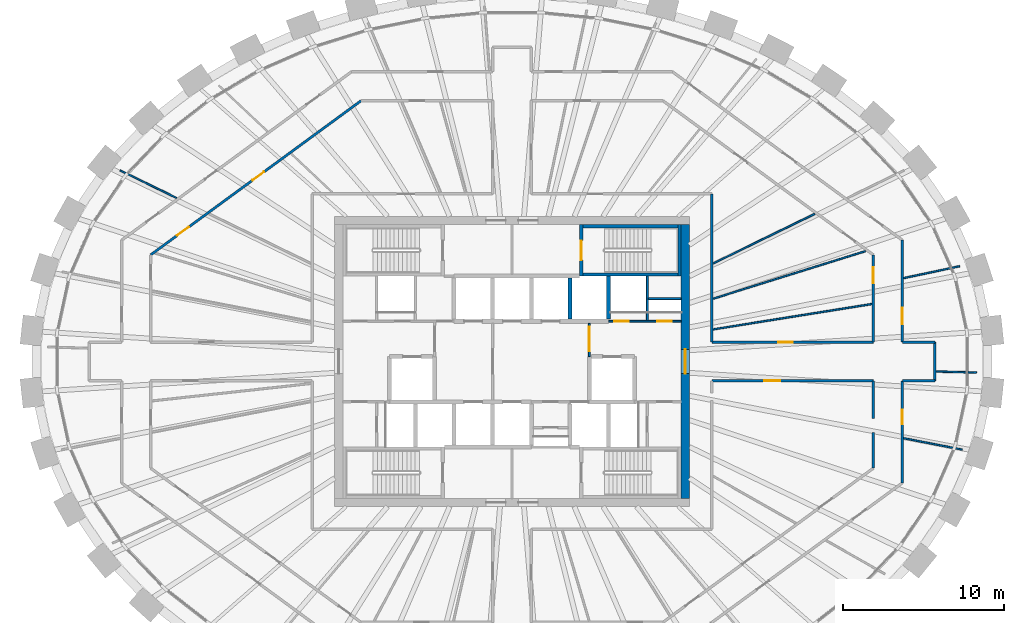
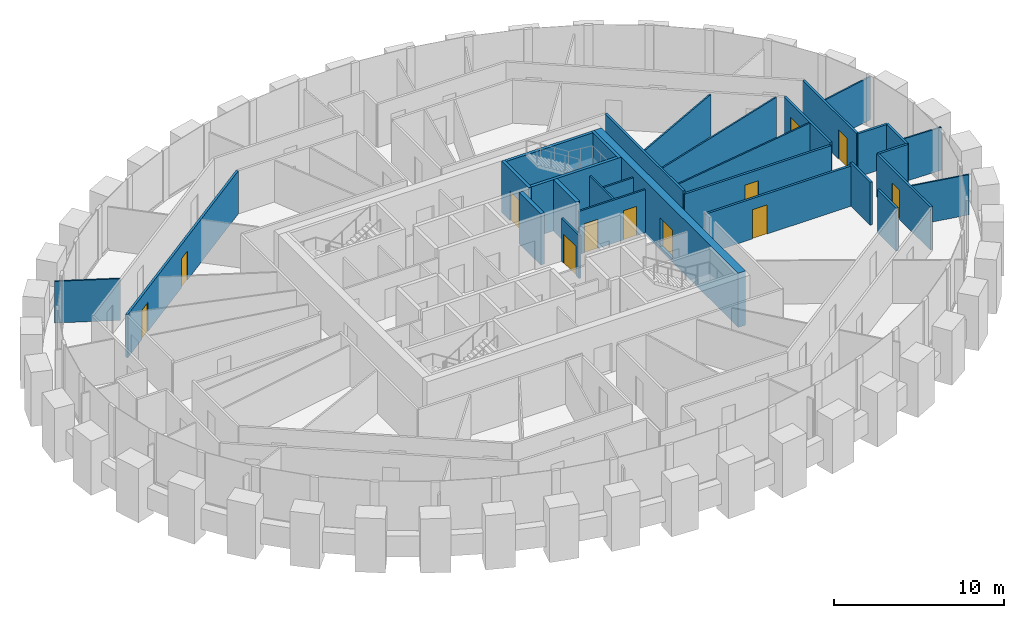
# One storey, part 9 of 12: 30 walls, 12 doors, 12 openings.
"""IFC4 building model written with IfcOpenShell, lengths in metres."""

from ifc_helpers import new_model, si_unit, direction, frame, frame_2d, origin, place, context, subcontext, project, spatial, rectangle, extrude, source, transform, mapped, material, layer, layer_set, type_object, element, fill, save


model = new_model("IFC4")

# Units and contexts
model_context = context("Model", 3, precision=1e-05, world=origin(), true_north=direction((0.0, 1.0)))
body_context = subcontext(model_context, "Body", "Model", "MODEL_VIEW")
ifc_project = project(units=[si_unit("LENGTHUNIT", "METRE"), si_unit("AREAUNIT", "SQUARE_METRE"), si_unit("VOLUMEUNIT", "CUBIC_METRE"), si_unit("PLANEANGLEUNIT", "RADIAN"), si_unit("MASSUNIT", "GRAM", prefix="KILO")], contexts=[model_context])

# Site, building, storey
site_placement = place(None, origin())
site = spatial("IfcSite", under=ifc_project, at=site_placement, CompositionType="ELEMENT")
building_placement = place(site_placement, origin())
building = spatial("IfcBuilding", under=site, at=building_placement, Name="Embergate Tower", CompositionType="ELEMENT")
storey_placement = place(building_placement, frame((0.0, 0.0, 320.800048828125)))
storey = spatial("IfcBuildingStorey", under=building, at=storey_placement, Name="L75", CompositionType="ELEMENT", Elevation=320.800048828125)

# Wall, opening, door
ifc_material_1 = material(Name="Concrete C50", Category="concrete")
ifc_layer_1 = layer(ifc_material_1, 0.5)
ifc_layer_set_1 = layer_set([ifc_layer_1], Name="Concrete C50")
wall_type_1 = type_object("IfcWallType", Name="Core outer wall C50 500", PredefinedType="SHEAR", material=ifc_layer_set_1)
shared_shape_1 = source(origin(), body_context, "Body", "SweptSolid", [
    extrude(rectangle(XDim=17.0, YDim=0.5, at=frame_2d((8.5, 0.0))), origin(), (0.0, 0.0, 1.0), 3.89990234375),
])
wall_1_placement = place(storey_placement, frame((10.75, -8.5, -0.199951171875), z_axis=(0.0, 0.0, 1.0), x_axis=(0.0, 1.0, 0.0)))
wall_1 = element("IfcWall", 1, at=wall_1_placement, inside=storey, type_object=wall_type_1, Name="CW-L75-E", PredefinedType="SHEAR", context=body_context, shape_type="MappedRepresentation", body=[
    mapped(shared_shape_1, transform((0.0, 0.0, 0.0))),
])
shared_shape_2 = source(origin(), body_context, "Body", "SweptSolid", [
    extrude(rectangle(XDim=1.5, YDim=2.10009765625, at=frame_2d((0.75, 1.050048828125))), frame((0.0, 0.260009765625, 0.0), z_axis=(0.0, -1.0, 0.0), x_axis=(1.0, 0.0, 0.0)), (0.0, 0.0, 1.0), 0.52001953125),
])
opening_1_placement = place(wall_1_placement, frame((7.75, 0.0, 0.199951171875)))
opening_1 = element("IfcOpeningElement", 2, at=opening_1_placement, cuts=wall_1, Name="Opening IF-3", PredefinedType="OPENING", context=body_context, shape_type="MappedRepresentation", body=[
    mapped(shared_shape_2, transform((0.0, 0.0, 0.0))),
])
ifc_material_2 = material(Name="Lobby fire door pair 1500")
door_type_1 = type_object("IfcDoorType", Name="Lobby fire door pair 1500", OperationType="DOUBLE_DOOR_SINGLE_SWING", PredefinedType="DOOR", material=ifc_material_2)
shared_shape_3 = source(origin(), body_context, "Body", "SweptSolid", [
    extrude(rectangle(XDim=1.5, YDim=2.10009765625, at=frame_2d((0.75, 1.050048828125))), frame((0.0, 0.02490234375, 0.0), z_axis=(0.0, -1.0, 0.0), x_axis=(1.0, 0.0, 0.0)), (0.0, 0.0, 1.0), 0.050048828125),
])
door_1_placement = place(opening_1_placement, origin())
door_1 = element("IfcDoor", 3, at=door_1_placement, inside=storey, type_object=door_type_1, Name="IF-3 door", OperationType="DOUBLE_DOOR_SINGLE_SWING", OverallHeight=2.10009765625, OverallWidth=1.5, PredefinedType="DOOR", context=body_context, shape_type="MappedRepresentation", body=[
    mapped(shared_shape_3, transform((0.0, 0.0, 0.0))),
])
fill(opening_1, door_1)

# Walls
ifc_layer_2 = layer(ifc_material_1, 0.25)
ifc_layer_set_2 = layer_set([ifc_layer_2], Name="Concrete C50")
wall_type_2 = type_object("IfcWallType", Name="Hoistway wall reinforced concrete 250", PredefinedType="SHEAR", material=ifc_layer_set_2)
shared_shape_4 = source(origin(), body_context, "Body", "SweptSolid", [
    extrude(rectangle(XDim=2.675048828125, YDim=0.25, at=frame_2d((1.33740234375, 0.0))), origin(), (0.0, 0.0, 1.0), 3.699951171875),
])
wall_2_placement = place(storey_placement, frame((6.0, 2.625, 0.0), z_axis=(0.0, 0.0, 1.0), x_axis=(0.0, 1.0, 0.0)))
element("IfcWall", 4, at=wall_2_placement, inside=storey, type_object=wall_type_2, Name="HW-1 wall", PredefinedType="SHEAR", context=body_context, shape_type="MappedRepresentation", body=[
    mapped(shared_shape_4, transform((0.0, 0.0, 0.0))),
])
ifc_layer_3 = layer(ifc_material_1, 0.199951171875)
ifc_layer_set_3 = layer_set([ifc_layer_3], Name="Concrete C50")
wall_type_3 = type_object("IfcWallType", Name="Stair enclosure wall reinforced concrete 250", PredefinedType="SHEAR", material=ifc_layer_set_3)
shared_shape_5 = source(origin(), body_context, "Body", "SweptSolid", [
    extrude(rectangle(XDim=6.300048828125, YDim=0.199951171875, at=frame_2d((3.14990234375, 0.0))), origin(), (0.0, 0.0, 1.0), 3.699951171875),
])
wall_3_placement = place(storey_placement, frame((10.5, 5.39990234375, 0.0), z_axis=(0.0, 0.0, 1.0), x_axis=(-1.0, 0.0, 0.0)))
element("IfcWall", 5, at=wall_3_placement, inside=storey, type_object=wall_type_3, Name="SE-1 wall", PredefinedType="SHEAR", context=body_context, shape_type="MappedRepresentation", body=[
    mapped(shared_shape_5, transform((0.0, 0.0, 0.0))),
])
shared_shape_6 = source(origin(), body_context, "Body", "SweptSolid", [
    extrude(rectangle(XDim=2.550048828125, YDim=0.25, at=frame_2d((1.27490234375, 0.0))), origin(), (0.0, 0.0, 1.0), 3.699951171875),
])
wall_4_placement = place(storey_placement, frame((3.60009765625, 2.625, 0.0), z_axis=(0.0, 0.0, 1.0), x_axis=(0.0, 1.0, 0.0)))
element("IfcWall", 6, at=wall_4_placement, inside=storey, type_object=wall_type_2, Name="HW-1 wall", PredefinedType="SHEAR", context=body_context, shape_type="MappedRepresentation", body=[
    mapped(shared_shape_6, transform((0.0, 0.0, 0.0))),
])

# Wall, opening, door
shared_shape_7 = source(origin(), body_context, "Body", "SweptSolid", [
    extrude(rectangle(XDim=3.199951171875, YDim=0.199951171875, at=frame_2d((1.60009765625, 0.0))), origin(), (0.0, 0.0, 1.0), 3.699951171875),
])
wall_5_placement = place(storey_placement, frame((4.300048828125, 8.5, 0.0), z_axis=(0.0, 0.0, 1.0), x_axis=(0.0, -1.0, 0.0)))
wall_5 = element("IfcWall", 7, at=wall_5_placement, inside=storey, type_object=wall_type_3, Name="SE-1 wall", PredefinedType="SHEAR", context=body_context, shape_type="MappedRepresentation", body=[
    mapped(shared_shape_7, transform((0.0, 0.0, 0.0))),
])
shared_shape_8 = source(origin(), body_context, "Body", "SweptSolid", [
    extrude(rectangle(XDim=1.199951171875, YDim=2.10009765625, at=frame_2d((0.60009765625, 1.050048828125))), frame((0.0, 0.10986328125, 0.0), z_axis=(0.0, -1.0, 0.0), x_axis=(1.0, 0.0, 0.0)), (0.0, 0.0, 1.0), 0.219970703125),
])
opening_2_placement = place(wall_5_placement, frame((1.0, 0.0, 0.0)))
opening_2 = element("IfcOpeningElement", 8, at=opening_2_placement, cuts=wall_5, Name="Opening IF-2", PredefinedType="OPENING", context=body_context, shape_type="MappedRepresentation", body=[
    mapped(shared_shape_8, transform((0.0, 0.0, 0.0))),
])
ifc_material_3 = material(Name="Stair enclosure door 1200")
door_type_2 = type_object("IfcDoorType", Name="Stair enclosure door 1200", OperationType="SINGLE_SWING_LEFT", PredefinedType="DOOR", material=ifc_material_3)
shared_shape_9 = source(origin(), body_context, "Body", "SweptSolid", [
    extrude(rectangle(XDim=1.199951171875, YDim=2.10009765625, at=frame_2d((0.60009765625, 1.050048828125))), frame((0.0, 0.02490234375, 0.0), z_axis=(0.0, -1.0, 0.0), x_axis=(1.0, 0.0, 0.0)), (0.0, 0.0, 1.0), 0.050048828125),
])
door_2_placement = place(opening_2_placement, origin())
door_2 = element("IfcDoor", 9, at=door_2_placement, inside=storey, type_object=door_type_2, Name="IF-2 door", OperationType="SINGLE_SWING_LEFT", OverallHeight=2.10009765625, OverallWidth=1.199951171875, PredefinedType="DOOR", context=body_context, shape_type="MappedRepresentation", body=[
    mapped(shared_shape_9, transform((0.0, 0.0, 0.0))),
])
fill(opening_2, door_2)

# Wall
wall_6_placement = place(storey_placement, frame((10.39990234375, 5.300048828125, 0.0), z_axis=(0.0, 0.0, 1.0), x_axis=(0.0, 1.0, 0.0)))
element("IfcWall", 10, at=wall_6_placement, inside=storey, type_object=wall_type_3, Name="SE-1 wall", PredefinedType="SHEAR", context=body_context, shape_type="MappedRepresentation", body=[
    mapped(shared_shape_7, transform((0.0, 0.0, 0.0))),
])

# Wall, opening, door
ifc_material_4 = material(Name="Core partition blockwork 120")
ifc_layer_4 = layer(ifc_material_4, 0.1201171875)
ifc_layer_set_4 = layer_set([ifc_layer_4], Name="Core partition blockwork 120")
wall_type_4 = type_object("IfcWallType", Name="Core partition blockwork 120", PredefinedType="PARTITIONING", material=ifc_layer_set_4)
shared_shape_10 = source(origin(), body_context, "Body", "SweptSolid", [
    extrude(rectangle(XDim=2.074951171875, YDim=0.1201171875, at=frame_2d((1.03759765625, 0.0))), origin(), (0.0, 0.0, 1.0), 3.099853515625),
])
wall_7_placement = place(storey_placement, frame((4.800048828125, 0.300048828125, 0.0), z_axis=(0.0, 0.0, 1.0), x_axis=(0.0, 1.0, 0.0)))
wall_7 = element("IfcWall", 11, at=wall_7_placement, inside=storey, type_object=wall_type_4, Name="IP-3 wall", PredefinedType="PARTITIONING", context=body_context, shape_type="MappedRepresentation", body=[
    mapped(shared_shape_10, transform((0.0, 0.0, 0.0))),
])
shared_shape_11 = source(origin(), body_context, "Body", "SweptSolid", [
    extrude(rectangle(XDim=1.5, YDim=2.10009765625, at=frame_2d((0.75, 1.050048828125))), frame((0.0, 0.070068359375, 0.0), z_axis=(0.0, -1.0, 0.0), x_axis=(1.0, 0.0, 0.0)), (0.0, 0.0, 1.0), 0.14013671875),
])
opening_3_placement = place(wall_7_placement, frame((0.35009765625, 0.0, 0.0)))
opening_3 = element("IfcOpeningElement", 12, at=opening_3_placement, cuts=wall_7, Name="Opening IF-3", PredefinedType="OPENING", context=body_context, shape_type="MappedRepresentation", body=[
    mapped(shared_shape_11, transform((0.0, 0.0, 0.0))),
])
door_3_placement = place(opening_3_placement, origin())
door_3 = element("IfcDoor", 13, at=door_3_placement, inside=storey, type_object=door_type_1, Name="IF-3 door", OperationType="DOUBLE_DOOR_SINGLE_SWING", OverallHeight=2.10009765625, OverallWidth=1.5, PredefinedType="DOOR", context=body_context, shape_type="MappedRepresentation", body=[
    mapped(shared_shape_3, transform((0.0, 0.0, 0.0))),
])
fill(opening_3, door_3)

# Walls
ifc_material_5 = material(Name="Corridor wall dry-lined 150")
ifc_layer_5 = layer(ifc_material_5, 0.14990234375)
ifc_layer_set_5 = layer_set([ifc_layer_5], Name="Corridor wall dry-lined 150")
wall_type_5 = type_object("IfcWallType", Name="Corridor wall dry-lined 150", PredefinedType="PARTITIONING", material=ifc_layer_set_5)
shared_shape_12 = source(origin(), body_context, "Body", "SweptSolid", [
    extrude(rectangle(XDim=2.39990234375, YDim=0.14990234375, at=frame_2d((1.199951171875, 0.0))), origin(), (0.0, 0.0, 1.0), 3.099853515625),
])
wall_8_placement = place(storey_placement, frame((26.238037109375, 1.199951171875, 0.0), z_axis=(0.0, 0.0, 1.0), x_axis=(0.0, -1.0, 0.0)))
element("IfcWall", 14, at=wall_8_placement, inside=storey, type_object=wall_type_5, Name="IP-2 wall", PredefinedType="PARTITIONING", context=body_context, shape_type="MappedRepresentation", body=[
    mapped(shared_shape_12, transform((0.0, 0.0, 0.0))),
])
shared_shape_13 = source(origin(), body_context, "Body", "SweptSolid", [
    extrude(rectangle(XDim=9.199951171875, YDim=0.14990234375, at=frame_2d((4.60009765625, 0.0))), origin(), (0.0, 0.0, 1.0), 3.099853515625),
])
wall_9_placement = place(storey_placement, frame((12.39990234375, 10.39990234375, 0.0), z_axis=(0.0, 0.0, 1.0), x_axis=(0.0, -1.0, 0.0)))
element("IfcWall", 15, at=wall_9_placement, inside=storey, type_object=wall_type_5, Name="IP-2 wall", PredefinedType="PARTITIONING", context=body_context, shape_type="MappedRepresentation", body=[
    mapped(shared_shape_13, transform((0.0, 0.0, 0.0))),
])

# Wall, openings, doors
shared_shape_14 = source(origin(), body_context, "Body", "SweptSolid", [
    extrude(rectangle(XDim=4.5, YDim=0.1201171875, at=frame_2d((2.25, 0.0))), origin(), (0.0, 0.0, 1.0), 3.099853515625),
])
wall_10_placement = place(storey_placement, frame((6.0, 2.5, 0.0), z_axis=(0.0, 0.0, 1.0), x_axis=(1.0, 0.0, 0.0)))
wall_10 = element("IfcWall", 16, at=wall_10_placement, inside=storey, type_object=wall_type_4, Name="IP-3 wall", PredefinedType="PARTITIONING", context=body_context, shape_type="MappedRepresentation", body=[
    mapped(shared_shape_14, transform((0.0, 0.0, 0.0))),
])
shared_shape_15 = source(origin(), body_context, "Body", "SweptSolid", [
    extrude(rectangle(XDim=0.89990234375, YDim=2.10009765625, at=frame_2d((0.449951171875, 1.050048828125))), frame((0.0, 0.070068359375, 0.0), z_axis=(0.0, -1.0, 0.0), x_axis=(1.0, 0.0, 0.0)), (0.0, 0.0, 1.0), 0.14013671875),
])
opening_4_placement = place(wall_10_placement, frame((0.35009765625, 0.0, 0.0)))
opening_4 = element("IfcOpeningElement", 17, at=opening_4_placement, cuts=wall_10, Name="Opening ID-1", PredefinedType="OPENING", context=body_context, shape_type="MappedRepresentation", body=[
    mapped(shared_shape_15, transform((0.0, 0.0, 0.0))),
])
opening_5_placement = place(wall_10_placement, frame((3.0, 0.0, 0.0)))
opening_5 = element("IfcOpeningElement", 18, at=opening_5_placement, cuts=wall_10, Name="Opening ID-1", PredefinedType="OPENING", context=body_context, shape_type="MappedRepresentation", body=[
    mapped(shared_shape_15, transform((0.0, 0.0, 0.0))),
])
ifc_material_6 = material(Name="Interior door 900")
door_type_3 = type_object("IfcDoorType", Name="Interior door 900", OperationType="SINGLE_SWING_LEFT", PredefinedType="DOOR", material=ifc_material_6)
shared_shape_16 = source(origin(), body_context, "Body", "SweptSolid", [
    extrude(rectangle(XDim=0.89990234375, YDim=2.10009765625, at=frame_2d((0.449951171875, 1.050048828125))), frame((0.0, 0.02490234375, 0.0), z_axis=(0.0, -1.0, 0.0), x_axis=(1.0, 0.0, 0.0)), (0.0, 0.0, 1.0), 0.050048828125),
])
door_4_placement = place(opening_4_placement, origin())
door_4 = element("IfcDoor", 19, at=door_4_placement, inside=storey, type_object=door_type_3, Name="ID-1 door", OperationType="SINGLE_SWING_LEFT", OverallHeight=2.10009765625, OverallWidth=0.89990234375, PredefinedType="DOOR", context=body_context, shape_type="MappedRepresentation", body=[
    mapped(shared_shape_16, transform((0.0, 0.0, 0.0))),
])
fill(opening_4, door_4)
door_5_placement = place(opening_5_placement, origin())
door_5 = element("IfcDoor", 20, at=door_5_placement, inside=storey, type_object=door_type_3, Name="ID-1 door", OperationType="SINGLE_SWING_RIGHT", OverallHeight=2.10009765625, OverallWidth=0.89990234375, PredefinedType="DOOR", context=body_context, shape_type="MappedRepresentation", body=[
    mapped(shared_shape_16, transform((0.0, 0.0, 0.0))),
])
fill(opening_5, door_5)

# Walls
shared_shape_17 = source(origin(), body_context, "Body", "SweptSolid", [
    extrude(rectangle(XDim=2.738037109375, YDim=0.1201171875, at=frame_2d((1.369140625, 0.0))), origin(), (0.0, 0.0, 1.0), 3.099853515625),
])
wall_11_placement = place(storey_placement, frame((8.39990234375, 2.56005859375, 0.0), z_axis=(0.0, 0.0, 1.0), x_axis=(0.0, 1.0, 0.0)))
element("IfcWall", 21, at=wall_11_placement, inside=storey, type_object=wall_type_4, Name="IP-3 wall", PredefinedType="PARTITIONING", context=body_context, shape_type="MappedRepresentation", body=[
    mapped(shared_shape_17, transform((0.0, 0.0, 0.0))),
])
shared_shape_18 = source(origin(), body_context, "Body", "SweptSolid", [
    extrude(rectangle(XDim=6.298095703125, YDim=0.199951171875, at=frame_2d((3.14892578125, 0.0))), origin(), (0.0, 0.0, 1.0), 3.699951171875),
])
wall_12_placement = place(storey_placement, frame((10.5, 8.39990234375, 0.0), z_axis=(0.0, 0.0, 1.0), x_axis=(-1.0, 0.0, 0.0)))
element("IfcWall", 22, at=wall_12_placement, inside=storey, type_object=wall_type_3, Name="SE-1 wall", PredefinedType="SHEAR", context=body_context, shape_type="MappedRepresentation", body=[
    mapped(shared_shape_18, transform((0.0, 0.0, 0.0))),
])
shared_shape_19 = source(origin(), body_context, "Body", "SweptSolid", [
    extrude(rectangle(XDim=2.0380859375, YDim=0.1201171875, at=frame_2d((1.01904296875, 0.0))), origin(), (0.0, 0.0, 1.0), 3.099853515625),
])
wall_13_placement = place(storey_placement, frame((10.5, 3.89990234375, 0.0), z_axis=(0.0, 0.0, 1.0), x_axis=(-1.0, 0.0, 0.0)))
element("IfcWall", 23, at=wall_13_placement, inside=storey, type_object=wall_type_4, Name="IP-3 wall", PredefinedType="PARTITIONING", context=body_context, shape_type="MappedRepresentation", body=[
    mapped(shared_shape_19, transform((0.0, 0.0, 0.0))),
])

# Wall, opening, door
shared_shape_20 = source(origin(), body_context, "Body", "SweptSolid", [
    extrude(rectangle(XDim=6.3330078125, YDim=0.14990234375, at=frame_2d((3.16650390625, 0.0))), origin(), (0.0, 0.0, 1.0), 3.099853515625),
])
wall_14_placement = place(storey_placement, frame((24.217041015625, -1.199951171875, 0.0), z_axis=(0.0, 0.0, 1.0), x_axis=(0.0, -1.0, 0.0)))
wall_14 = element("IfcWall", 24, at=wall_14_placement, inside=storey, type_object=wall_type_5, Name="IP-2 wall", PredefinedType="PARTITIONING", context=body_context, shape_type="MappedRepresentation", body=[
    mapped(shared_shape_20, transform((0.0, 0.0, 0.0))),
])
shared_shape_21 = source(origin(), body_context, "Body", "SweptSolid", [
    extrude(rectangle(XDim=0.89990234375, YDim=2.10009765625, at=frame_2d((0.449951171875, 1.050048828125))), frame((0.0, 0.0849609375, 0.0), z_axis=(0.0, -1.0, 0.0), x_axis=(1.0, 0.0, 0.0)), (0.0, 0.0, 1.0), 0.169921875),
])
opening_6_placement = place(wall_14_placement, frame((1.7890625, 0.0, 0.0)))
opening_6 = element("IfcOpeningElement", 25, at=opening_6_placement, cuts=wall_14, Name="Opening IF-1c", PredefinedType="OPENING", context=body_context, shape_type="MappedRepresentation", body=[
    mapped(shared_shape_21, transform((0.0, 0.0, 0.0))),
])
ifc_material_7 = material(Name="Escape fire door 900")
door_type_4 = type_object("IfcDoorType", Name="Escape fire door 900", OperationType="SINGLE_SWING_LEFT", PredefinedType="DOOR", material=ifc_material_7)
door_6_placement = place(opening_6_placement, origin())
door_6 = element("IfcDoor", 26, at=door_6_placement, inside=storey, type_object=door_type_4, Name="IF-1 door", OperationType="SINGLE_SWING_RIGHT", OverallHeight=2.10009765625, OverallWidth=0.89990234375, PredefinedType="DOOR", context=body_context, shape_type="MappedRepresentation", body=[
    mapped(shared_shape_16, transform((0.0, 0.0, 0.0))),
])
fill(opening_6, door_6)

wall_15_placement = place(storey_placement, frame((24.217041015625, 7.532958984375, 0.0), z_axis=(0.0, 0.0, 1.0), x_axis=(0.0, -1.0, 0.0)))
wall_15 = element("IfcWall", 27, at=wall_15_placement, inside=storey, type_object=wall_type_5, Name="IP-2 wall", PredefinedType="PARTITIONING", context=body_context, shape_type="MappedRepresentation", body=[
    mapped(shared_shape_20, transform((0.0, 0.0, 0.0))),
])
shared_shape_22 = source(origin(), body_context, "Body", "SweptSolid", [
    extrude(rectangle(XDim=1.0, YDim=2.10009765625, at=frame_2d((0.5, 1.050048828125))), frame((0.0, 0.0849609375, 0.0), z_axis=(0.0, -1.0, 0.0), x_axis=(1.0, 0.0, 0.0)), (0.0, 0.0, 1.0), 0.169921875),
])
opening_7_placement = place(wall_15_placement, frame((4.20751953125, 0.0, 0.0)))
opening_7 = element("IfcOpeningElement", 28, at=opening_7_placement, cuts=wall_15, Name="Opening ID-2", PredefinedType="OPENING", context=body_context, shape_type="MappedRepresentation", body=[
    mapped(shared_shape_22, transform((0.0, 0.0, 0.0))),
])
ifc_material_8 = material(Name="Interior door 1000")
door_type_5 = type_object("IfcDoorType", Name="Interior door 1000", OperationType="SINGLE_SWING_LEFT", PredefinedType="DOOR", material=ifc_material_8)
shared_shape_23 = source(origin(), body_context, "Body", "SweptSolid", [
    extrude(rectangle(XDim=1.0, YDim=2.10009765625, at=frame_2d((0.5, 1.050048828125))), frame((0.0, 0.02490234375, 0.0), z_axis=(0.0, -1.0, 0.0), x_axis=(1.0, 0.0, 0.0)), (0.0, 0.0, 1.0), 0.050048828125),
])
door_7_placement = place(opening_7_placement, origin())
door_7 = element("IfcDoor", 29, at=door_7_placement, inside=storey, type_object=door_type_5, Name="ID-2 door", OperationType="SINGLE_SWING_LEFT", OverallHeight=2.10009765625, OverallWidth=1.0, PredefinedType="DOOR", context=body_context, shape_type="MappedRepresentation", body=[
    mapped(shared_shape_23, transform((0.0, 0.0, 0.0))),
])
fill(opening_7, door_7)

shared_shape_24 = source(origin(), body_context, "Body", "SweptSolid", [
    extrude(rectangle(XDim=5.420166015625, YDim=0.14990234375, at=frame_2d((2.7099609375, 0.0))), origin(), (0.0, 0.0, 1.0), 3.099853515625),
])
wall_16_placement = place(storey_placement, frame((22.4169921875, 1.199951171875, 0.0), z_axis=(0.0, 0.0, 1.0), x_axis=(0.0, 1.0, 0.0)))
wall_16 = element("IfcWall", 30, at=wall_16_placement, inside=storey, type_object=wall_type_5, Name="IP-2 wall", PredefinedType="PARTITIONING", context=body_context, shape_type="MappedRepresentation", body=[
    mapped(shared_shape_24, transform((0.0, 0.0, 0.0))),
])
opening_8_placement = place(wall_16_placement, frame((3.658935546875, 0.0, 0.0)))
opening_8 = element("IfcOpeningElement", 31, at=opening_8_placement, cuts=wall_16, Name="Opening ID-2", PredefinedType="OPENING", context=body_context, shape_type="MappedRepresentation", body=[
    mapped(shared_shape_22, transform((0.0, 0.0, 0.0))),
])
door_8_placement = place(opening_8_placement, origin())
door_8 = element("IfcDoor", 32, at=door_8_placement, inside=storey, type_object=door_type_5, Name="ID-2 door", OperationType="SINGLE_SWING_RIGHT", OverallHeight=2.10009765625, OverallWidth=1.0, PredefinedType="DOOR", context=body_context, shape_type="MappedRepresentation", body=[
    mapped(shared_shape_23, transform((0.0, 0.0, 0.0))),
])
fill(opening_8, door_8)

# Wall, openings, doors
shared_shape_25 = source(origin(), body_context, "Body", "SweptSolid", [
    extrude(rectangle(XDim=16.18115234375, YDim=0.14990234375, at=frame_2d((8.090576171875, 0.0))), origin(), (0.0, 0.0, 1.0), 3.099853515625),
])
wall_17_placement = place(storey_placement, frame((-9.364013671875, 16.18310546875, 0.0), z_axis=(0.0, 0.0, 1.0), x_axis=(-0.80667592694, -0.590994034569, 0.0)))
wall_17 = element("IfcWall", 33, at=wall_17_placement, inside=storey, type_object=wall_type_5, Name="IP-2 wall", PredefinedType="PARTITIONING", context=body_context, shape_type="MappedRepresentation", body=[
    mapped(shared_shape_25, transform((0.0, 0.0, 0.0))),
])
opening_9_placement = place(wall_17_placement, frame((7.45068359375, 0.0, 0.0)))
opening_9 = element("IfcOpeningElement", 34, at=opening_9_placement, cuts=wall_17, Name="Opening IF-1c", PredefinedType="OPENING", context=body_context, shape_type="MappedRepresentation", body=[
    mapped(shared_shape_21, transform((0.0, 0.0, 0.0))),
])
opening_10_placement = place(wall_17_placement, frame((13.2412109375, 0.0, 0.0)))
opening_10 = element("IfcOpeningElement", 35, at=opening_10_placement, cuts=wall_17, Name="Opening IF-1c", PredefinedType="OPENING", context=body_context, shape_type="MappedRepresentation", body=[
    mapped(shared_shape_21, transform((0.0, 0.0, 0.0))),
])
door_9_placement = place(opening_9_placement, origin())
door_9 = element("IfcDoor", 36, at=door_9_placement, inside=storey, type_object=door_type_4, Name="IF-1 door", OperationType="SINGLE_SWING_LEFT", OverallHeight=2.10009765625, OverallWidth=0.89990234375, PredefinedType="DOOR", context=body_context, shape_type="MappedRepresentation", body=[
    mapped(shared_shape_16, transform((0.0, 0.0, 0.0))),
])
fill(opening_9, door_9)
door_10_placement = place(opening_10_placement, origin())
door_10 = element("IfcDoor", 37, at=door_10_placement, inside=storey, type_object=door_type_4, Name="IF-1 door", OperationType="SINGLE_SWING_RIGHT", OverallHeight=2.10009765625, OverallWidth=0.89990234375, PredefinedType="DOOR", context=body_context, shape_type="MappedRepresentation", body=[
    mapped(shared_shape_16, transform((0.0, 0.0, 0.0))),
])
fill(opening_10, door_10)

# Walls
shared_shape_26 = source(origin(), body_context, "Body", "SweptSolid", [
    extrude(rectangle(XDim=2.232177734375, YDim=0.14990234375, at=frame_2d((1.1162109375, 0.0))), origin(), (0.0, 0.0, 1.0), 3.099853515625),
])
wall_18_placement = place(storey_placement, frame((22.4169921875, -6.6201171875, 0.0), z_axis=(0.0, 0.0, 1.0), x_axis=(0.0, 1.0, 0.0)))
element("IfcWall", 38, at=wall_18_placement, inside=storey, type_object=wall_type_5, Name="IP-2 wall", PredefinedType="PARTITIONING", context=body_context, shape_type="MappedRepresentation", body=[
    mapped(shared_shape_26, transform((0.0, 0.0, 0.0))),
])
shared_shape_27 = source(origin(), body_context, "Body", "SweptSolid", [
    extrude(rectangle(XDim=2.02099609375, YDim=0.14990234375, at=frame_2d((1.010498046875, 0.0))), origin(), (0.0, 0.0, 1.0), 3.099853515625),
])
for number, where, z_axis, x_axis, name in (
    (39, (26.238037109375, -1.199951171875, 0.0), (0.0, 0.0, 1.0), (-1.0, 0.0, 0.0), "IP-2 wall"),
    (40, (24.217041015625, 1.199951171875, 0.0), (0.0, 0.0, 1.0), (1.0, 0.0, 0.0), "IP-2 wall"),
):
    element("IfcWall", number, at=place(storey_placement, frame(where, z_axis=z_axis, x_axis=x_axis)), inside=storey, type_object=wall_type_5, Name=name, PredefinedType="PARTITIONING", context=body_context, shape_type="MappedRepresentation", body=[
        mapped(shared_shape_27, transform((0.0, 0.0, 0.0))),
    ])

# Wall, opening, door
shared_shape_28 = source(origin(), body_context, "Body", "SweptSolid", [
    extrude(rectangle(XDim=10.01708984375, YDim=0.14990234375, at=frame_2d((5.008544921875, 0.0))), origin(), (0.0, 0.0, 1.0), 2.89990234375),
])
wall_19_placement = place(storey_placement, frame((12.39990234375, 1.199951171875, 0.0), z_axis=(0.0, 0.0, 1.0), x_axis=(1.0, 0.0, 0.0)))
wall_19 = element("IfcWall", 41, at=wall_19_placement, inside=storey, type_object=wall_type_5, Name="IP-2 wall", PredefinedType="PARTITIONING", context=body_context, shape_type="MappedRepresentation", body=[
    mapped(shared_shape_28, transform((0.0, 0.0, 0.0))),
])
opening_11_placement = place(wall_19_placement, frame((4.133056640625, 0.0, 0.0)))
opening_11 = element("IfcOpeningElement", 42, at=opening_11_placement, cuts=wall_19, Name="Opening IF-1c", PredefinedType="OPENING", context=body_context, shape_type="MappedRepresentation", body=[
    mapped(shared_shape_21, transform((0.0, 0.0, 0.0))),
])
door_11_placement = place(opening_11_placement, origin())
door_11 = element("IfcDoor", 43, at=door_11_placement, inside=storey, type_object=door_type_4, Name="IF-1 door", OperationType="SINGLE_SWING_RIGHT", OverallHeight=2.10009765625, OverallWidth=0.89990234375, PredefinedType="DOOR", context=body_context, shape_type="MappedRepresentation", body=[
    mapped(shared_shape_16, transform((0.0, 0.0, 0.0))),
])
fill(opening_11, door_11)

wall_20_placement = place(storey_placement, frame((22.4169921875, -1.199951171875, 0.0), z_axis=(0.0, 0.0, 1.0), x_axis=(-1.0, 0.0, 0.0)))
wall_20 = element("IfcWall", 44, at=wall_20_placement, inside=storey, type_object=wall_type_5, Name="IP-2 wall", PredefinedType="PARTITIONING", context=body_context, shape_type="MappedRepresentation", body=[
    mapped(shared_shape_28, transform((0.0, 0.0, 0.0))),
])
opening_12_placement = place(wall_20_placement, frame((5.77099609375, 0.0, 0.0)))
opening_12 = element("IfcOpeningElement", 45, at=opening_12_placement, cuts=wall_20, Name="Opening ID-2", PredefinedType="OPENING", context=body_context, shape_type="MappedRepresentation", body=[
    mapped(shared_shape_22, transform((0.0, 0.0, 0.0))),
])
door_12_placement = place(opening_12_placement, origin())
door_12 = element("IfcDoor", 46, at=door_12_placement, inside=storey, type_object=door_type_5, Name="ID-2 door", OperationType="SINGLE_SWING_RIGHT", OverallHeight=2.10009765625, OverallWidth=1.0, PredefinedType="DOOR", context=body_context, shape_type="MappedRepresentation", body=[
    mapped(shared_shape_23, transform((0.0, 0.0, 0.0))),
])
fill(opening_12, door_12)

# Walls
shared_shape_29 = source(origin(), body_context, "Body", "SweptSolid", [
    extrude(rectangle(XDim=2.340087890625, YDim=0.14990234375, at=frame_2d((1.169921875, 0.0))), origin(), (0.0, 0.0, 1.0), 3.099853515625),
])
wall_21_placement = place(storey_placement, frame((22.4169921875, -3.5400390625, 0.0), z_axis=(0.0, 0.0, 1.0), x_axis=(0.0, 1.0, 0.0)))
element("IfcWall", 47, at=wall_21_placement, inside=storey, type_object=wall_type_5, Name="IP-2 wall", PredefinedType="PARTITIONING", context=body_context, shape_type="MappedRepresentation", body=[
    mapped(shared_shape_29, transform((0.0, 0.0, 0.0))),
])
ifc_material_9 = material(Name="Partition dry-lined 100")
ifc_layer_6 = layer(ifc_material_9, 0.10009765625)
ifc_layer_set_6 = layer_set([ifc_layer_6], Name="Partition dry-lined 100")
wall_type_6 = type_object("IfcWallType", Name="Partition dry-lined 100", PredefinedType="PARTITIONING", material=ifc_layer_set_6)
shared_shape_30 = source(origin(), body_context, "Body", "SweptSolid", [
    extrude(rectangle(XDim=3.702880859375, YDim=0.10009765625, at=frame_2d((1.8515625, 0.0))), origin(), (0.0, 0.0, 1.0), 2.89990234375),
])
wall_22_placement = place(storey_placement, frame((27.93603515625, -5.468017578125, 0.0), z_axis=(0.0, 0.0, 1.0), x_axis=(-0.981396165862, 0.191993660396, 0.0)))
element("IfcWall", 48, at=wall_22_placement, inside=storey, type_object=wall_type_6, Name="IP-1 wall", PredefinedType="PARTITIONING", context=body_context, shape_type="MappedRepresentation", body=[
    mapped(shared_shape_30, transform((0.0, 0.0, 0.0))),
])
shared_shape_31 = source(origin(), body_context, "Body", "SweptSolid", [
    extrude(rectangle(XDim=2.509765625, YDim=0.10009765625, at=frame_2d((1.2548828125, 0.0))), origin(), (0.0, 0.0, 1.0), 3.099853515625),
])
wall_23_placement = place(storey_placement, frame((26.31298828125, -0.6201171875, 0.0), z_axis=(0.0, 0.0, 1.0), x_axis=(0.999715956803, -0.023832870431, 0.0)))
element("IfcWall", 49, at=wall_23_placement, inside=storey, type_object=wall_type_6, Name="IP-1 wall", PredefinedType="PARTITIONING", context=body_context, shape_type="MappedRepresentation", body=[
    mapped(shared_shape_31, transform((0.0, 0.0, 0.0))),
])
shared_shape_32 = source(origin(), body_context, "Body", "SweptSolid", [
    extrude(rectangle(XDim=3.5498046875, YDim=0.10009765625, at=frame_2d((1.77490234375, 0.0))), origin(), (0.0, 0.0, 1.0), 3.099853515625),
])
wall_24_placement = place(storey_placement, frame((24.302001953125, 5.175048828125, 0.0), z_axis=(0.0, 0.0, 1.0), x_axis=(0.978088351278, 0.208190242551, 0.0)))
element("IfcWall", 50, at=wall_24_placement, inside=storey, type_object=wall_type_6, Name="IP-1 wall", PredefinedType="PARTITIONING", context=body_context, shape_type="MappedRepresentation", body=[
    mapped(shared_shape_32, transform((0.0, 0.0, 0.0))),
])
ifc_material_10 = material(Name="Partition dry-lined 100 wet")
ifc_layer_7 = layer(ifc_material_10, 0.10009765625)
ifc_layer_set_7 = layer_set([ifc_layer_7], Name="Partition dry-lined 100 wet")
wall_type_7 = type_object("IfcWallType", Name="Partition dry-lined 100 wet", PredefinedType="PLUMBINGWALL", material=ifc_layer_set_7)
shared_shape_33 = source(origin(), body_context, "Body", "SweptSolid", [
    extrude(rectangle(XDim=3.90185546875, YDim=0.10009765625, at=frame_2d((1.950927734375, 0.0))), origin(), (0.0, 0.0, 1.0), 3.0),
])
wall_25_placement = place(storey_placement, frame((-20.81103515625, 10.14990234375, 0.0), z_axis=(0.0, 0.0, 1.0), x_axis=(-0.898825566315, 0.438306515283, 0.0)))
element("IfcWall", 51, at=wall_25_placement, inside=storey, type_object=wall_type_7, Name="IP-1 wall", PredefinedType="PLUMBINGWALL", context=body_context, shape_type="MappedRepresentation", body=[
    mapped(shared_shape_33, transform((0.0, 0.0, 0.0))),
])
shared_shape_34 = source(origin(), body_context, "Body", "SweptSolid", [
    extrude(rectangle(XDim=9.97607421875, YDim=0.10009765625, at=frame_2d((4.988037109375, 0.0))), origin(), (0.0, 0.0, 1.0), 3.099853515625),
])
wall_26_placement = place(storey_placement, frame((22.333984375, 3.569091796875, 0.0), z_axis=(0.0, 0.0, 1.0), x_axis=(-0.987474969661, -0.157775740506, 0.0)))
element("IfcWall", 52, at=wall_26_placement, inside=storey, type_object=wall_type_6, Name="IP-1 wall", PredefinedType="PARTITIONING", context=body_context, shape_type="MappedRepresentation", body=[
    mapped(shared_shape_34, transform((0.0, 0.0, 0.0))),
])
shared_shape_35 = source(origin(), body_context, "Body", "SweptSolid", [
    extrude(rectangle(XDim=9.885009765625, YDim=0.10009765625, at=frame_2d((4.9423828125, 0.0))), origin(), (0.0, 0.0, 1.0), 3.099853515625),
])
wall_27_placement = place(storey_placement, frame((12.489990234375, 3.902099609375, 0.0), z_axis=(0.0, 0.0, 1.0), x_axis=(0.954493161285, 0.29823280346, 0.0)))
element("IfcWall", 53, at=wall_27_placement, inside=storey, type_object=wall_type_6, Name="IP-1 wall", PredefinedType="PARTITIONING", context=body_context, shape_type="MappedRepresentation", body=[
    mapped(shared_shape_35, transform((0.0, 0.0, 0.0))),
])
shared_shape_36 = source(origin(), body_context, "Body", "SweptSolid", [
    extrude(rectangle(XDim=6.99365234375, YDim=0.10009765625, at=frame_2d((3.496826171875, 0.0))), origin(), (0.0, 0.0, 1.0), 3.0),
])
wall_28_placement = place(storey_placement, frame((12.4970703125, 6.094970703125, 0.0), z_axis=(0.0, 0.0, 1.0), x_axis=(0.898789245471, 0.438380989809, 0.0)))
element("IfcWall", 54, at=wall_28_placement, inside=storey, type_object=wall_type_6, Name="IP-1 wall", PredefinedType="PARTITIONING", context=body_context, shape_type="MappedRepresentation", body=[
    mapped(shared_shape_36, transform((0.0, 0.0, 0.0))),
])

save(model, "model.ifc")
